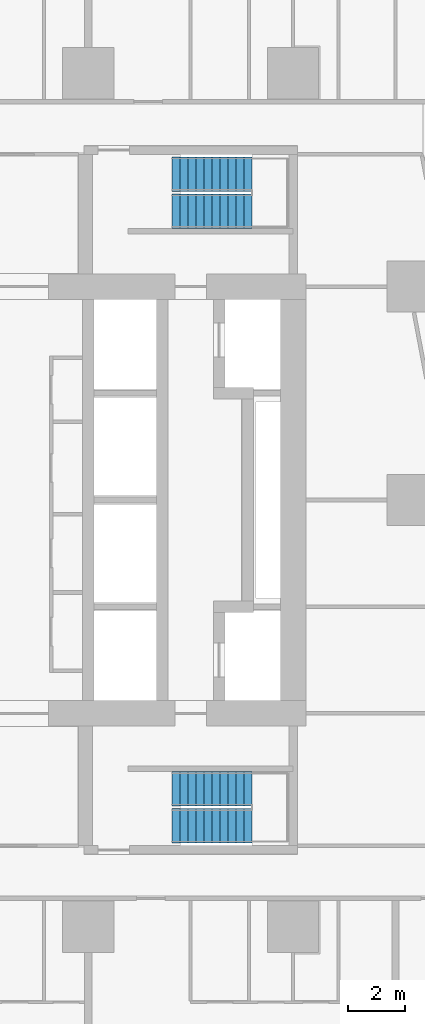
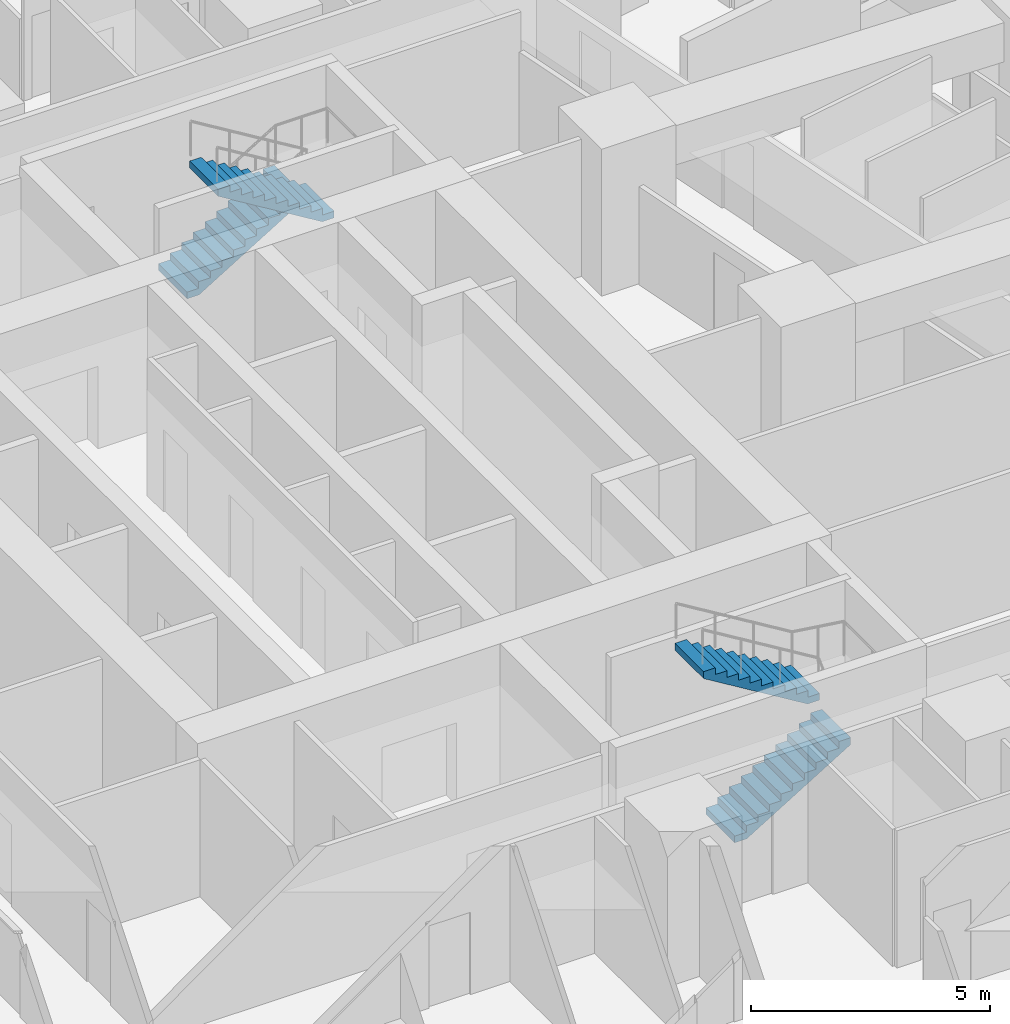
# One storey, part 15 of 17: 4 stair flights, 2 elements without a shape of their own.
"""IFC4 building model written with IfcOpenShell, lengths in metres."""

from ifc_helpers import new_model, si_unit, direction, frame, origin, place, context, subcontext, project, spatial, triangles, material, type_object, element, aggregate, save


model = new_model("IFC4")

# Units and contexts
model_context = context("Model", 3, precision=1e-05, world=origin(), true_north=direction((0.0, 1.0)))
body_context = subcontext(model_context, "Body", "Model", "MODEL_VIEW")
ifc_project = project(units=[si_unit("LENGTHUNIT", "METRE"), si_unit("AREAUNIT", "SQUARE_METRE"), si_unit("VOLUMEUNIT", "CUBIC_METRE"), si_unit("PLANEANGLEUNIT", "RADIAN"), si_unit("MASSUNIT", "GRAM", prefix="KILO")], contexts=[model_context])

# Site, building, storey
site_placement = place(None, origin())
site = spatial("IfcSite", under=ifc_project, at=site_placement, CompositionType="ELEMENT")
building_placement = place(site_placement, origin())
building = spatial("IfcBuilding", under=site, at=building_placement, Name="Sheger Commons Tower", CompositionType="ELEMENT")
storey_placement = place(building_placement, frame((0.0, 0.0, 23.75)))
storey = spatial("IfcBuildingStorey", under=building, at=storey_placement, Name="L05", CompositionType="ELEMENT", Elevation=23.75)

# Stair, stair flights
ifc_material_1 = material(Name="Concrete C35/45", Category="concrete")
stair_type = type_object("IfcStairType", Name="HALF-TURN STAIR 1200 RISE 3750", PredefinedType="HALF_TURN_STAIR", material=ifc_material_1)
stair_1_placement = place(storey_placement, origin())
stair_1 = element("IfcStair", 1, at=stair_1_placement, inside=storey, type_object=stair_type, Name="Stair S1 L05", PredefinedType="HALF_TURN_STAIR")
ifc_material_2 = material(Name="Concrete C35/45", Category="concrete")
stair_flight_type = type_object("IfcStairFlightType", Name="STAIR FLIGHT 1200 11 RISERS OF 170", PredefinedType="STRAIGHT", material=ifc_material_2)
stair_flight_1_placement = place(storey_placement, frame((24.550048828125, 11.050048828125, 0.0), z_axis=(0.0, 0.0, 1.0), x_axis=(1.0, 0.0, 0.0)))
stair_flight_1 = element("IfcStairFlight", 2, at=stair_flight_1_placement, type_object=stair_flight_type, Name="S1 flight 1", NumberOfRisers=11, NumberOfTreads=10, PredefinedType="STRAIGHT", RiserHeight=0.170454545, TreadLength=0.28, context=body_context, shape_type="Tessellation", body=[
    triangles([(0.0, 0.5999755859375, 0.0), (0.0, 0.5999755859375, 0.17041015625), (0.280029296875, 0.5999755859375, 0.17041015625), (0.280029296875, 0.5999755859375, 0.3408203125), (0.56005859375, 0.5999755859375, 0.3408203125), (0.56005859375, 0.5999755859375, 0.511474609375), (0.840087890625, 0.5999755859375, 0.511474609375), (0.840087890625, 0.5999755859375, 0.681884765625), (1.1201171875, 0.5999755859375, 0.681884765625), (1.1201171875, 0.5999755859375, 0.852294921875), (1.39990234375, 0.5999755859375, 0.852294921875), (1.39990234375, 0.5999755859375, 1.022705078125), (1.679931640625, 0.5999755859375, 1.022705078125), (1.679931640625, 0.5999755859375, 1.193115234375), (1.9599609375, 0.5999755859375, 1.193115234375), (1.9599609375, 0.5999755859375, 1.363525390625), (2.239990234375, 0.5999755859375, 1.363525390625), (2.239990234375, 0.5999755859375, 1.5341796875), (2.52001953125, 0.5999755859375, 1.5341796875), (2.52001953125, 0.5999755859375, 1.70458984375), (2.800048828125, 0.5999755859375, 1.70458984375), (2.800048828125, 0.5999755859375, 1.529052734375), (0.288330078125, 0.5999755859375, 0.0), (0.0, -0.5999755859375, 0.0), (0.0, -0.5999755859375, 0.17041015625), (0.280029296875, -0.5999755859375, 0.17041015625), (0.280029296875, -0.5999755859375, 0.3408203125), (0.56005859375, -0.5999755859375, 0.3408203125), (0.56005859375, -0.5999755859375, 0.511474609375), (0.840087890625, -0.5999755859375, 0.511474609375), (0.840087890625, -0.5999755859375, 0.681884765625), (1.1201171875, -0.5999755859375, 0.681884765625), (1.1201171875, -0.5999755859375, 0.852294921875), (1.39990234375, -0.5999755859375, 0.852294921875), (1.39990234375, -0.5999755859375, 1.022705078125), (1.679931640625, -0.5999755859375, 1.022705078125), (1.679931640625, -0.5999755859375, 1.193115234375), (1.9599609375, -0.5999755859375, 1.193115234375), (1.9599609375, -0.5999755859375, 1.363525390625), (2.239990234375, -0.5999755859375, 1.363525390625), (2.239990234375, -0.5999755859375, 1.5341796875), (2.52001953125, -0.5999755859375, 1.5341796875), (2.52001953125, -0.5999755859375, 1.70458984375), (2.800048828125, -0.5999755859375, 1.70458984375), (2.800048828125, -0.5999755859375, 1.529052734375), (0.288330078125, -0.5999755859375, 0.0), (0.0, 0.0, 0.085205078125), (0.1400146484375, 0.0, 0.17041015625), (0.280029296875, 0.0, 0.255615234375), (0.4200439453125, 0.0, 0.3408203125), (0.56005859375, 0.0, 0.4261474609375), (0.7000732421875, 0.0, 0.511474609375), (0.840087890625, 0.0, 0.5966796875), (0.9801025390625, 0.0, 0.681884765625), (1.1201171875, 0.0, 0.76708984375), (1.260009765625, 0.0, 0.852294921875), (1.39990234375, 0.0, 0.9375), (1.5399169921875, 0.0, 1.022705078125), (1.679931640625, 0.0, 1.10791015625), (1.8199462890625, 0.0, 1.193115234375), (1.9599609375, 0.0, 1.2783203125), (2.0999755859375, 0.0, 1.363525390625), (2.239990234375, 0.0, 1.4488525390625), (2.3800048828125, 0.0, 1.5341796875), (2.52001953125, 0.0, 1.619384765625), (2.6600341796875, 0.0, 1.70458984375), (2.800048828125, 0.0, 1.6168212890625), (1.544189453125, 0.0, 0.7645263671875), (0.1441650390625, 0.0, 0.0)], [[1, 22, 23], [24, 46, 45], [22, 20, 21], [45, 44, 43], [22, 19, 20], [45, 43, 42], [22, 18, 19], [45, 42, 41], [22, 17, 18], [45, 41, 40], [17, 15, 16], [40, 39, 38], [22, 15, 17], [45, 40, 38], [15, 13, 14], [38, 37, 36], [22, 13, 15], [45, 38, 36], [13, 11, 12], [36, 35, 34], [22, 11, 13], [45, 36, 34], [11, 9, 10], [34, 33, 32], [22, 9, 11], [45, 34, 32], [9, 7, 8], [32, 31, 30], [22, 7, 9], [45, 32, 30], [7, 5, 6], [30, 29, 28], [22, 5, 7], [45, 30, 28], [5, 3, 4], [28, 27, 26], [22, 3, 5], [45, 28, 26], [1, 3, 22], [24, 45, 26], [3, 1, 2], [26, 25, 24], [1, 47, 2], [2, 47, 25], [25, 47, 24], [24, 47, 1], [2, 48, 3], [3, 48, 26], [26, 48, 25], [25, 48, 2], [3, 49, 4], [4, 49, 27], [27, 49, 26], [26, 49, 3], [4, 50, 5], [5, 50, 28], [28, 50, 27], [27, 50, 4], [5, 51, 6], [6, 51, 29], [29, 51, 28], [28, 51, 5], [6, 52, 7], [7, 52, 30], [30, 52, 29], [29, 52, 6], [7, 53, 8], [8, 53, 31], [31, 53, 30], [30, 53, 7], [8, 54, 9], [9, 54, 32], [32, 54, 31], [31, 54, 8], [9, 55, 10], [10, 55, 33], [33, 55, 32], [32, 55, 9], [10, 56, 11], [11, 56, 34], [34, 56, 33], [33, 56, 10], [11, 57, 12], [12, 57, 35], [35, 57, 34], [34, 57, 11], [12, 58, 13], [13, 58, 36], [36, 58, 35], [35, 58, 12], [13, 59, 14], [14, 59, 37], [37, 59, 36], [36, 59, 13], [14, 60, 15], [15, 60, 38], [38, 60, 37], [37, 60, 14], [15, 61, 16], [16, 61, 39], [39, 61, 38], [38, 61, 15], [16, 62, 17], [17, 62, 40], [40, 62, 39], [39, 62, 16], [17, 63, 18], [18, 63, 41], [41, 63, 40], [40, 63, 17], [18, 64, 19], [19, 64, 42], [42, 64, 41], [41, 64, 18], [19, 65, 20], [20, 65, 43], [43, 65, 42], [42, 65, 19], [20, 66, 21], [21, 66, 44], [44, 66, 43], [43, 66, 20], [21, 67, 22], [22, 67, 45], [45, 67, 44], [44, 67, 21], [22, 68, 23], [23, 68, 46], [46, 68, 45], [45, 68, 22], [23, 69, 1], [1, 69, 24], [24, 69, 46], [46, 69, 23]], closed=True),
])
stair_flight_2_placement = place(storey_placement, frame((27.35009765625, 12.35009765625, 1.875), z_axis=(0.0, 0.0, 1.0), x_axis=(-1.0, 0.0, 0.0)))
stair_flight_2 = element("IfcStairFlight", 3, at=stair_flight_2_placement, type_object=stair_flight_type, Name="S1 flight 2", NumberOfRisers=11, NumberOfTreads=10, PredefinedType="STRAIGHT", RiserHeight=0.170454545, TreadLength=0.28, context=body_context, shape_type="Tessellation", body=[
    triangles([(0.0, 0.5999755859375, 0.0), (0.0, 0.5999755859375, 0.17041015625), (0.280029296875, 0.5999755859375, 0.17041015625), (0.280029296875, 0.5999755859375, 0.3408203125), (0.56005859375, 0.5999755859375, 0.3408203125), (0.56005859375, 0.5999755859375, 0.511474609375), (0.840087890625, 0.5999755859375, 0.511474609375), (0.840087890625, 0.5999755859375, 0.681884765625), (1.1201171875, 0.5999755859375, 0.681884765625), (1.1201171875, 0.5999755859375, 0.852294921875), (1.39990234375, 0.5999755859375, 0.852294921875), (1.39990234375, 0.5999755859375, 1.022705078125), (1.679931640625, 0.5999755859375, 1.022705078125), (1.679931640625, 0.5999755859375, 1.193115234375), (1.9599609375, 0.5999755859375, 1.193115234375), (1.9599609375, 0.5999755859375, 1.363525390625), (2.239990234375, 0.5999755859375, 1.363525390625), (2.239990234375, 0.5999755859375, 1.5341796875), (2.52001953125, 0.5999755859375, 1.5341796875), (2.52001953125, 0.5999755859375, 1.70458984375), (2.800048828125, 0.5999755859375, 1.70458984375), (2.800048828125, 0.5999755859375, 1.529052734375), (0.288330078125, 0.5999755859375, 0.0), (0.0, -0.5999755859375, 0.0), (0.0, -0.5999755859375, 0.17041015625), (0.280029296875, -0.5999755859375, 0.17041015625), (0.280029296875, -0.5999755859375, 0.3408203125), (0.56005859375, -0.5999755859375, 0.3408203125), (0.56005859375, -0.5999755859375, 0.511474609375), (0.840087890625, -0.5999755859375, 0.511474609375), (0.840087890625, -0.5999755859375, 0.681884765625), (1.1201171875, -0.5999755859375, 0.681884765625), (1.1201171875, -0.5999755859375, 0.852294921875), (1.39990234375, -0.5999755859375, 0.852294921875), (1.39990234375, -0.5999755859375, 1.022705078125), (1.679931640625, -0.5999755859375, 1.022705078125), (1.679931640625, -0.5999755859375, 1.193115234375), (1.9599609375, -0.5999755859375, 1.193115234375), (1.9599609375, -0.5999755859375, 1.363525390625), (2.239990234375, -0.5999755859375, 1.363525390625), (2.239990234375, -0.5999755859375, 1.5341796875), (2.52001953125, -0.5999755859375, 1.5341796875), (2.52001953125, -0.5999755859375, 1.70458984375), (2.800048828125, -0.5999755859375, 1.70458984375), (2.800048828125, -0.5999755859375, 1.529052734375), (0.288330078125, -0.5999755859375, 0.0), (0.0, 0.0, 0.085205078125), (0.1400146484375, 0.0, 0.17041015625), (0.280029296875, 0.0, 0.255615234375), (0.4200439453125, 0.0, 0.3408203125), (0.56005859375, 0.0, 0.4261474609375), (0.7000732421875, 0.0, 0.511474609375), (0.840087890625, 0.0, 0.5966796875), (0.9801025390625, 0.0, 0.681884765625), (1.1201171875, 0.0, 0.76708984375), (1.260009765625, 0.0, 0.852294921875), (1.39990234375, 0.0, 0.9375), (1.5399169921875, 0.0, 1.022705078125), (1.679931640625, 0.0, 1.10791015625), (1.8199462890625, 0.0, 1.193115234375), (1.9599609375, 0.0, 1.2783203125), (2.0999755859375, 0.0, 1.363525390625), (2.239990234375, 0.0, 1.4488525390625), (2.3800048828125, 0.0, 1.5341796875), (2.52001953125, 0.0, 1.619384765625), (2.6600341796875, 0.0, 1.70458984375), (2.800048828125, 0.0, 1.6168212890625), (1.544189453125, 0.0, 0.7645263671875), (0.1441650390625, 0.0, 0.0)], [[1, 22, 23], [24, 46, 45], [22, 20, 21], [45, 44, 43], [22, 19, 20], [45, 43, 42], [22, 18, 19], [45, 42, 41], [22, 17, 18], [45, 41, 40], [17, 15, 16], [40, 39, 38], [22, 15, 17], [45, 40, 38], [15, 13, 14], [38, 37, 36], [22, 13, 15], [45, 38, 36], [13, 11, 12], [36, 35, 34], [22, 11, 13], [45, 36, 34], [11, 9, 10], [34, 33, 32], [22, 9, 11], [45, 34, 32], [9, 7, 8], [32, 31, 30], [22, 7, 9], [45, 32, 30], [7, 5, 6], [30, 29, 28], [22, 5, 7], [45, 30, 28], [5, 3, 4], [28, 27, 26], [22, 3, 5], [45, 28, 26], [1, 3, 22], [24, 45, 26], [3, 1, 2], [26, 25, 24], [1, 47, 2], [2, 47, 25], [25, 47, 24], [24, 47, 1], [2, 48, 3], [3, 48, 26], [26, 48, 25], [25, 48, 2], [3, 49, 4], [4, 49, 27], [27, 49, 26], [26, 49, 3], [4, 50, 5], [5, 50, 28], [28, 50, 27], [27, 50, 4], [5, 51, 6], [6, 51, 29], [29, 51, 28], [28, 51, 5], [6, 52, 7], [7, 52, 30], [30, 52, 29], [29, 52, 6], [7, 53, 8], [8, 53, 31], [31, 53, 30], [30, 53, 7], [8, 54, 9], [9, 54, 32], [32, 54, 31], [31, 54, 8], [9, 55, 10], [10, 55, 33], [33, 55, 32], [32, 55, 9], [10, 56, 11], [11, 56, 34], [34, 56, 33], [33, 56, 10], [11, 57, 12], [12, 57, 35], [35, 57, 34], [34, 57, 11], [12, 58, 13], [13, 58, 36], [36, 58, 35], [35, 58, 12], [13, 59, 14], [14, 59, 37], [37, 59, 36], [36, 59, 13], [14, 60, 15], [15, 60, 38], [38, 60, 37], [37, 60, 14], [15, 61, 16], [16, 61, 39], [39, 61, 38], [38, 61, 15], [16, 62, 17], [17, 62, 40], [40, 62, 39], [39, 62, 16], [17, 63, 18], [18, 63, 41], [41, 63, 40], [40, 63, 17], [18, 64, 19], [19, 64, 42], [42, 64, 41], [41, 64, 18], [19, 65, 20], [20, 65, 43], [43, 65, 42], [42, 65, 19], [20, 66, 21], [21, 66, 44], [44, 66, 43], [43, 66, 20], [21, 67, 22], [22, 67, 45], [45, 67, 44], [44, 67, 21], [22, 68, 23], [23, 68, 46], [46, 68, 45], [45, 68, 22], [23, 69, 1], [1, 69, 24], [24, 69, 46], [46, 69, 23]], closed=True),
])
aggregate(stair_1, [stair_flight_1, stair_flight_2])

stair_2_placement = place(storey_placement, origin())
stair_2 = element("IfcStair", 4, at=stair_2_placement, inside=storey, type_object=stair_type, Name="Stair S2 L05", PredefinedType="HALF_TURN_STAIR")
stair_flight_3_placement = place(storey_placement, frame((24.550048828125, 33.949951171875, 0.0), z_axis=(0.0, 0.0, 1.0), x_axis=(1.0, 0.0, 0.0)))
stair_flight_3 = element("IfcStairFlight", 5, at=stair_flight_3_placement, type_object=stair_flight_type, Name="S2 flight 1", NumberOfRisers=11, NumberOfTreads=10, PredefinedType="STRAIGHT", RiserHeight=0.170454545, TreadLength=0.28, context=body_context, shape_type="Tessellation", body=[
    triangles([(0.0, 0.5999755859375, 0.0), (0.0, 0.5999755859375, 0.17041015625), (0.280029296875, 0.5999755859375, 0.17041015625), (0.280029296875, 0.5999755859375, 0.3408203125), (0.56005859375, 0.5999755859375, 0.3408203125), (0.56005859375, 0.5999755859375, 0.511474609375), (0.840087890625, 0.5999755859375, 0.511474609375), (0.840087890625, 0.5999755859375, 0.681884765625), (1.1201171875, 0.5999755859375, 0.681884765625), (1.1201171875, 0.5999755859375, 0.852294921875), (1.39990234375, 0.5999755859375, 0.852294921875), (1.39990234375, 0.5999755859375, 1.022705078125), (1.679931640625, 0.5999755859375, 1.022705078125), (1.679931640625, 0.5999755859375, 1.193115234375), (1.9599609375, 0.5999755859375, 1.193115234375), (1.9599609375, 0.5999755859375, 1.363525390625), (2.239990234375, 0.5999755859375, 1.363525390625), (2.239990234375, 0.5999755859375, 1.5341796875), (2.52001953125, 0.5999755859375, 1.5341796875), (2.52001953125, 0.5999755859375, 1.70458984375), (2.800048828125, 0.5999755859375, 1.70458984375), (2.800048828125, 0.5999755859375, 1.529052734375), (0.288330078125, 0.5999755859375, 0.0), (0.0, -0.5999755859375, 0.0), (0.0, -0.5999755859375, 0.17041015625), (0.280029296875, -0.5999755859375, 0.17041015625), (0.280029296875, -0.5999755859375, 0.3408203125), (0.56005859375, -0.5999755859375, 0.3408203125), (0.56005859375, -0.5999755859375, 0.511474609375), (0.840087890625, -0.5999755859375, 0.511474609375), (0.840087890625, -0.5999755859375, 0.681884765625), (1.1201171875, -0.5999755859375, 0.681884765625), (1.1201171875, -0.5999755859375, 0.852294921875), (1.39990234375, -0.5999755859375, 0.852294921875), (1.39990234375, -0.5999755859375, 1.022705078125), (1.679931640625, -0.5999755859375, 1.022705078125), (1.679931640625, -0.5999755859375, 1.193115234375), (1.9599609375, -0.5999755859375, 1.193115234375), (1.9599609375, -0.5999755859375, 1.363525390625), (2.239990234375, -0.5999755859375, 1.363525390625), (2.239990234375, -0.5999755859375, 1.5341796875), (2.52001953125, -0.5999755859375, 1.5341796875), (2.52001953125, -0.5999755859375, 1.70458984375), (2.800048828125, -0.5999755859375, 1.70458984375), (2.800048828125, -0.5999755859375, 1.529052734375), (0.288330078125, -0.5999755859375, 0.0), (0.0, 0.0, 0.085205078125), (0.1400146484375, 0.0, 0.17041015625), (0.280029296875, 0.0, 0.255615234375), (0.4200439453125, 0.0, 0.3408203125), (0.56005859375, 0.0, 0.4261474609375), (0.7000732421875, 0.0, 0.511474609375), (0.840087890625, 0.0, 0.5966796875), (0.9801025390625, 0.0, 0.681884765625), (1.1201171875, 0.0, 0.76708984375), (1.260009765625, 0.0, 0.852294921875), (1.39990234375, 0.0, 0.9375), (1.5399169921875, 0.0, 1.022705078125), (1.679931640625, 0.0, 1.10791015625), (1.8199462890625, 0.0, 1.193115234375), (1.9599609375, 0.0, 1.2783203125), (2.0999755859375, 0.0, 1.363525390625), (2.239990234375, 0.0, 1.4488525390625), (2.3800048828125, 0.0, 1.5341796875), (2.52001953125, 0.0, 1.619384765625), (2.6600341796875, 0.0, 1.70458984375), (2.800048828125, 0.0, 1.6168212890625), (1.544189453125, 0.0, 0.7645263671875), (0.1441650390625, 0.0, 0.0)], [[1, 22, 23], [24, 46, 45], [22, 20, 21], [45, 44, 43], [22, 19, 20], [45, 43, 42], [22, 18, 19], [45, 42, 41], [22, 17, 18], [45, 41, 40], [17, 15, 16], [40, 39, 38], [22, 15, 17], [45, 40, 38], [15, 13, 14], [38, 37, 36], [22, 13, 15], [45, 38, 36], [13, 11, 12], [36, 35, 34], [22, 11, 13], [45, 36, 34], [11, 9, 10], [34, 33, 32], [22, 9, 11], [45, 34, 32], [9, 7, 8], [32, 31, 30], [22, 7, 9], [45, 32, 30], [7, 5, 6], [30, 29, 28], [22, 5, 7], [45, 30, 28], [5, 3, 4], [28, 27, 26], [22, 3, 5], [45, 28, 26], [1, 3, 22], [24, 45, 26], [3, 1, 2], [26, 25, 24], [1, 47, 2], [2, 47, 25], [25, 47, 24], [24, 47, 1], [2, 48, 3], [3, 48, 26], [26, 48, 25], [25, 48, 2], [3, 49, 4], [4, 49, 27], [27, 49, 26], [26, 49, 3], [4, 50, 5], [5, 50, 28], [28, 50, 27], [27, 50, 4], [5, 51, 6], [6, 51, 29], [29, 51, 28], [28, 51, 5], [6, 52, 7], [7, 52, 30], [30, 52, 29], [29, 52, 6], [7, 53, 8], [8, 53, 31], [31, 53, 30], [30, 53, 7], [8, 54, 9], [9, 54, 32], [32, 54, 31], [31, 54, 8], [9, 55, 10], [10, 55, 33], [33, 55, 32], [32, 55, 9], [10, 56, 11], [11, 56, 34], [34, 56, 33], [33, 56, 10], [11, 57, 12], [12, 57, 35], [35, 57, 34], [34, 57, 11], [12, 58, 13], [13, 58, 36], [36, 58, 35], [35, 58, 12], [13, 59, 14], [14, 59, 37], [37, 59, 36], [36, 59, 13], [14, 60, 15], [15, 60, 38], [38, 60, 37], [37, 60, 14], [15, 61, 16], [16, 61, 39], [39, 61, 38], [38, 61, 15], [16, 62, 17], [17, 62, 40], [40, 62, 39], [39, 62, 16], [17, 63, 18], [18, 63, 41], [41, 63, 40], [40, 63, 17], [18, 64, 19], [19, 64, 42], [42, 64, 41], [41, 64, 18], [19, 65, 20], [20, 65, 43], [43, 65, 42], [42, 65, 19], [20, 66, 21], [21, 66, 44], [44, 66, 43], [43, 66, 20], [21, 67, 22], [22, 67, 45], [45, 67, 44], [44, 67, 21], [22, 68, 23], [23, 68, 46], [46, 68, 45], [45, 68, 22], [23, 69, 1], [1, 69, 24], [24, 69, 46], [46, 69, 23]], closed=True),
])
stair_flight_4_placement = place(storey_placement, frame((27.35009765625, 32.64990234375, 1.875), z_axis=(0.0, 0.0, 1.0), x_axis=(-1.0, 0.0, 0.0)))
stair_flight_4 = element("IfcStairFlight", 6, at=stair_flight_4_placement, type_object=stair_flight_type, Name="S2 flight 2", NumberOfRisers=11, NumberOfTreads=10, PredefinedType="STRAIGHT", RiserHeight=0.170454545, TreadLength=0.28, context=body_context, shape_type="Tessellation", body=[
    triangles([(0.0, 0.5999755859375, 0.0), (0.0, 0.5999755859375, 0.17041015625), (0.280029296875, 0.5999755859375, 0.17041015625), (0.280029296875, 0.5999755859375, 0.3408203125), (0.56005859375, 0.5999755859375, 0.3408203125), (0.56005859375, 0.5999755859375, 0.511474609375), (0.840087890625, 0.5999755859375, 0.511474609375), (0.840087890625, 0.5999755859375, 0.681884765625), (1.1201171875, 0.5999755859375, 0.681884765625), (1.1201171875, 0.5999755859375, 0.852294921875), (1.39990234375, 0.5999755859375, 0.852294921875), (1.39990234375, 0.5999755859375, 1.022705078125), (1.679931640625, 0.5999755859375, 1.022705078125), (1.679931640625, 0.5999755859375, 1.193115234375), (1.9599609375, 0.5999755859375, 1.193115234375), (1.9599609375, 0.5999755859375, 1.363525390625), (2.239990234375, 0.5999755859375, 1.363525390625), (2.239990234375, 0.5999755859375, 1.5341796875), (2.52001953125, 0.5999755859375, 1.5341796875), (2.52001953125, 0.5999755859375, 1.70458984375), (2.800048828125, 0.5999755859375, 1.70458984375), (2.800048828125, 0.5999755859375, 1.529052734375), (0.288330078125, 0.5999755859375, 0.0), (0.0, -0.5999755859375, 0.0), (0.0, -0.5999755859375, 0.17041015625), (0.280029296875, -0.5999755859375, 0.17041015625), (0.280029296875, -0.5999755859375, 0.3408203125), (0.56005859375, -0.5999755859375, 0.3408203125), (0.56005859375, -0.5999755859375, 0.511474609375), (0.840087890625, -0.5999755859375, 0.511474609375), (0.840087890625, -0.5999755859375, 0.681884765625), (1.1201171875, -0.5999755859375, 0.681884765625), (1.1201171875, -0.5999755859375, 0.852294921875), (1.39990234375, -0.5999755859375, 0.852294921875), (1.39990234375, -0.5999755859375, 1.022705078125), (1.679931640625, -0.5999755859375, 1.022705078125), (1.679931640625, -0.5999755859375, 1.193115234375), (1.9599609375, -0.5999755859375, 1.193115234375), (1.9599609375, -0.5999755859375, 1.363525390625), (2.239990234375, -0.5999755859375, 1.363525390625), (2.239990234375, -0.5999755859375, 1.5341796875), (2.52001953125, -0.5999755859375, 1.5341796875), (2.52001953125, -0.5999755859375, 1.70458984375), (2.800048828125, -0.5999755859375, 1.70458984375), (2.800048828125, -0.5999755859375, 1.529052734375), (0.288330078125, -0.5999755859375, 0.0), (0.0, 0.0, 0.085205078125), (0.1400146484375, 0.0, 0.17041015625), (0.280029296875, 0.0, 0.255615234375), (0.4200439453125, 0.0, 0.3408203125), (0.56005859375, 0.0, 0.4261474609375), (0.7000732421875, 0.0, 0.511474609375), (0.840087890625, 0.0, 0.5966796875), (0.9801025390625, 0.0, 0.681884765625), (1.1201171875, 0.0, 0.76708984375), (1.260009765625, 0.0, 0.852294921875), (1.39990234375, 0.0, 0.9375), (1.5399169921875, 0.0, 1.022705078125), (1.679931640625, 0.0, 1.10791015625), (1.8199462890625, 0.0, 1.193115234375), (1.9599609375, 0.0, 1.2783203125), (2.0999755859375, 0.0, 1.363525390625), (2.239990234375, 0.0, 1.4488525390625), (2.3800048828125, 0.0, 1.5341796875), (2.52001953125, 0.0, 1.619384765625), (2.6600341796875, 0.0, 1.70458984375), (2.800048828125, 0.0, 1.6168212890625), (1.544189453125, 0.0, 0.7645263671875), (0.1441650390625, 0.0, 0.0)], [[1, 22, 23], [24, 46, 45], [22, 20, 21], [45, 44, 43], [22, 19, 20], [45, 43, 42], [22, 18, 19], [45, 42, 41], [22, 17, 18], [45, 41, 40], [17, 15, 16], [40, 39, 38], [22, 15, 17], [45, 40, 38], [15, 13, 14], [38, 37, 36], [22, 13, 15], [45, 38, 36], [13, 11, 12], [36, 35, 34], [22, 11, 13], [45, 36, 34], [11, 9, 10], [34, 33, 32], [22, 9, 11], [45, 34, 32], [9, 7, 8], [32, 31, 30], [22, 7, 9], [45, 32, 30], [7, 5, 6], [30, 29, 28], [22, 5, 7], [45, 30, 28], [5, 3, 4], [28, 27, 26], [22, 3, 5], [45, 28, 26], [1, 3, 22], [24, 45, 26], [3, 1, 2], [26, 25, 24], [1, 47, 2], [2, 47, 25], [25, 47, 24], [24, 47, 1], [2, 48, 3], [3, 48, 26], [26, 48, 25], [25, 48, 2], [3, 49, 4], [4, 49, 27], [27, 49, 26], [26, 49, 3], [4, 50, 5], [5, 50, 28], [28, 50, 27], [27, 50, 4], [5, 51, 6], [6, 51, 29], [29, 51, 28], [28, 51, 5], [6, 52, 7], [7, 52, 30], [30, 52, 29], [29, 52, 6], [7, 53, 8], [8, 53, 31], [31, 53, 30], [30, 53, 7], [8, 54, 9], [9, 54, 32], [32, 54, 31], [31, 54, 8], [9, 55, 10], [10, 55, 33], [33, 55, 32], [32, 55, 9], [10, 56, 11], [11, 56, 34], [34, 56, 33], [33, 56, 10], [11, 57, 12], [12, 57, 35], [35, 57, 34], [34, 57, 11], [12, 58, 13], [13, 58, 36], [36, 58, 35], [35, 58, 12], [13, 59, 14], [14, 59, 37], [37, 59, 36], [36, 59, 13], [14, 60, 15], [15, 60, 38], [38, 60, 37], [37, 60, 14], [15, 61, 16], [16, 61, 39], [39, 61, 38], [38, 61, 15], [16, 62, 17], [17, 62, 40], [40, 62, 39], [39, 62, 16], [17, 63, 18], [18, 63, 41], [41, 63, 40], [40, 63, 17], [18, 64, 19], [19, 64, 42], [42, 64, 41], [41, 64, 18], [19, 65, 20], [20, 65, 43], [43, 65, 42], [42, 65, 19], [20, 66, 21], [21, 66, 44], [44, 66, 43], [43, 66, 20], [21, 67, 22], [22, 67, 45], [45, 67, 44], [44, 67, 21], [22, 68, 23], [23, 68, 46], [46, 68, 45], [45, 68, 22], [23, 69, 1], [1, 69, 24], [24, 69, 46], [46, 69, 23]], closed=True),
])
aggregate(stair_2, [stair_flight_3, stair_flight_4])

save(model, "model.ifc")
